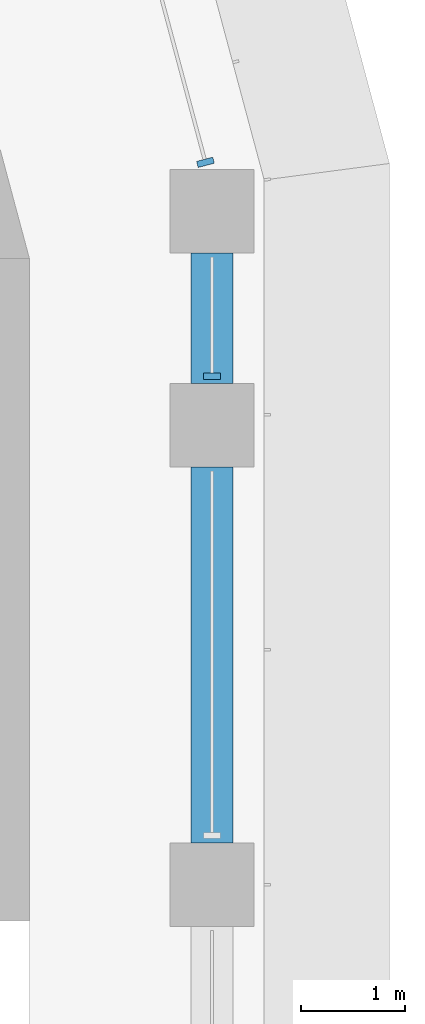
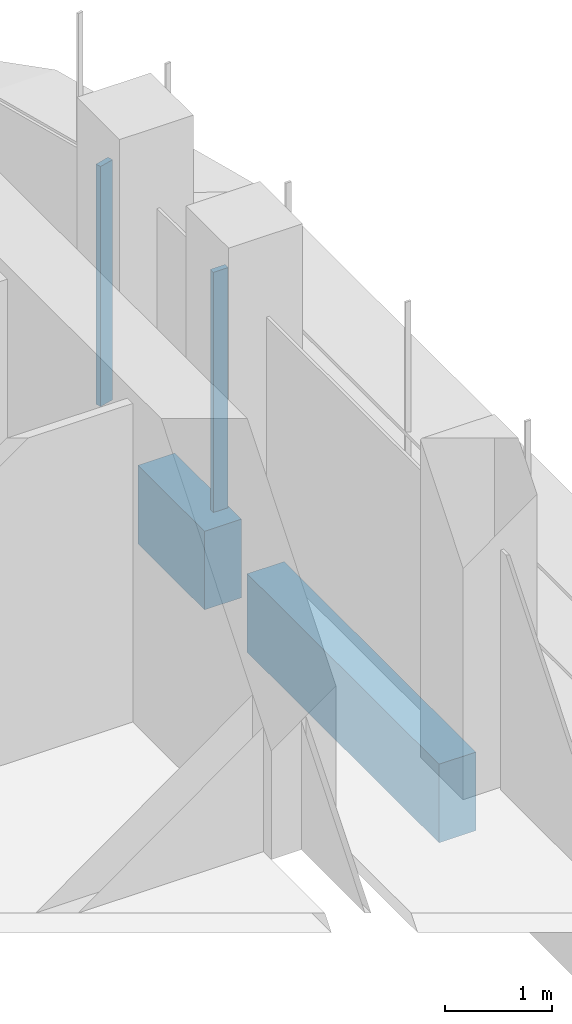
# One storey, part 9 of 20: 2 beams, 2 members, 2 elements without a shape of their own.
"""IFC4 building model written with IfcOpenShell, lengths in metres."""

from ifc_helpers import new_model, si_unit, direction, frame, origin, origin_2d, place, context, subcontext, project, spatial, polyline, rectangle, outline, extrude, source, transform, mapped, material, material_profile, profile_set, type_object, element, aggregate, save


model = new_model("IFC4")

# Units and contexts
model_context = context("Model", 3, precision=1e-05, world=origin(), true_north=direction((0.0, 1.0)))
body_context = subcontext(model_context, "Body", "Model", "MODEL_VIEW")
ifc_project = project(units=[si_unit("LENGTHUNIT", "METRE"), si_unit("AREAUNIT", "SQUARE_METRE"), si_unit("VOLUMEUNIT", "CUBIC_METRE"), si_unit("PLANEANGLEUNIT", "RADIAN"), si_unit("MASSUNIT", "GRAM", prefix="KILO")], contexts=[model_context])

# Site, building, storey
site_placement = place(None, origin())
site = spatial("IfcSite", under=ifc_project, at=site_placement, CompositionType="ELEMENT")
building_placement = place(site_placement, origin())
building = spatial("IfcBuilding", under=site, at=building_placement, Name="Zarbagh Exchange Tower", CompositionType="ELEMENT")
storey_placement = place(building_placement, frame((0.0, 0.0, 144.800048828125)))
storey = spatial("IfcBuildingStorey", under=building, at=storey_placement, Name="L34", CompositionType="ELEMENT", Elevation=144.800048828125)

# Beams
ifc_material_1 = material(Name="Concrete C50/60", Category="concrete")
ifc_material_profile = material_profile(ifc_material_1, rectangle(XDim=0.39990234375, YDim=0.89990234375, at=origin_2d()), Name="RC spandrel beam 400 x 900 C50/60")
ifc_profile_set = profile_set([ifc_material_profile], Name="Concrete C50/60")
beam_type = type_object("IfcBeamType", Name="RC spandrel beam 400 x 900 C50/60", PredefinedType="SPANDREL", material=ifc_profile_set)
beam_1_placement = place(storey_placement, frame((6.25, 26.300048828125, -0.60009765625), z_axis=(0.0, -1.0, 0.0), x_axis=(1.0, 0.0, 0.0)))
element("IfcBeam", 1, at=beam_1_placement, inside=storey, type_object=beam_type, Name="RC spandrel beam", PredefinedType="SPANDREL", context=body_context, shape_type="SweptSolid", body=[
    extrude(rectangle(XDim=0.39990234375, YDim=0.89990234375, at=origin_2d()), origin(), (0.0, 0.0, 1.0), 1.25),
])
beam_2_placement = place(storey_placement, frame((6.25, 24.25, -0.60009765625), z_axis=(0.0, -1.0, 0.0), x_axis=(1.0, 0.0, 0.0)))
element("IfcBeam", 2, at=beam_2_placement, inside=storey, type_object=beam_type, Name="RC spandrel beam", PredefinedType="SPANDREL", context=body_context, shape_type="SweptSolid", body=[
    extrude(rectangle(XDim=0.39990234375, YDim=0.89990234375, at=origin_2d()), origin(), (0.0, 0.0, 1.0), 3.60009765625),
])

# Curtain wall, member
ifc_material_2 = material(Name="Anodised aluminium frame and glazing", Category="aluminium")
curtain_wall_type = type_object("IfcCurtainWallType", Name="CWB Ribbon glazing, upper zones", PredefinedType="NOTDEFINED", material=ifc_material_2)
curtain_wall_1_placement = place(storey_placement, origin())
curtain_wall_1 = element("IfcCurtainWall", 3, at=curtain_wall_1_placement, inside=storey, type_object=curtain_wall_type, Name="CWB20 curtain wall", PredefinedType="NOTDEFINED")
ifc_material_3 = material(Name="Anodised aluminium frame", Category="aluminium")
member_type = type_object("IfcMemberType", Name="MUB Mullion, anodised aluminium frame", PredefinedType="MULLION", material=ifc_material_3)
shared_shape = source(origin(), body_context, "Body", "SweptSolid", [
    extrude(outline(polyline([(0.0, -0.080078125), (0.06005859375, -0.080078125), (0.06005859375, 0.080078125), (0.0, 0.080078125), (0.0, -0.080078125)])), origin(), (0.0, 0.0, 1.0), 2.75),
])
placement = place(storey_placement, origin())
member_1 = element("IfcMember", 4, at=placement, type_object=member_type, Name="CWB20 mullion 4.1", PredefinedType="MULLION", context=body_context, shape_type="MappedRepresentation", body=[
    mapped(shared_shape, transform((6.25, 25.090087890625, 0.0), x_axis=(0.0, 1.0, 0.0), y_axis=(-1.0, 0.0, 0.0), z_axis=(0.0, 0.0, 1.0))),
])
aggregate(curtain_wall_1, [member_1])

curtain_wall_2_placement = place(storey_placement, origin())
curtain_wall_2 = element("IfcCurtainWall", 5, at=curtain_wall_2_placement, inside=storey, type_object=curtain_wall_type, Name="CWB21 curtain wall", PredefinedType="NOTDEFINED")
member_2 = element("IfcMember", 6, at=placement, type_object=member_type, Name="CWB21 mullion 1.1", PredefinedType="MULLION", context=body_context, shape_type="MappedRepresentation", body=[
    mapped(shared_shape, transform((6.19482421875, 27.139892578125, 0.0), x_axis=(-0.258824779902, 0.965924289636, 0.0), y_axis=(-0.965924289636, -0.258824779902, 0.0), z_axis=(0.0, 0.0, 1.0))),
])
aggregate(curtain_wall_2, [member_2])

save(model, "model.ifc")
